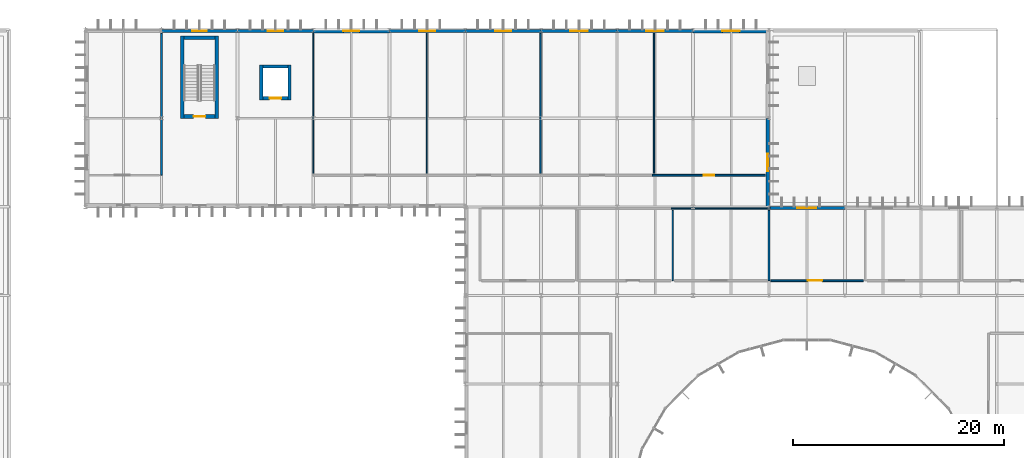
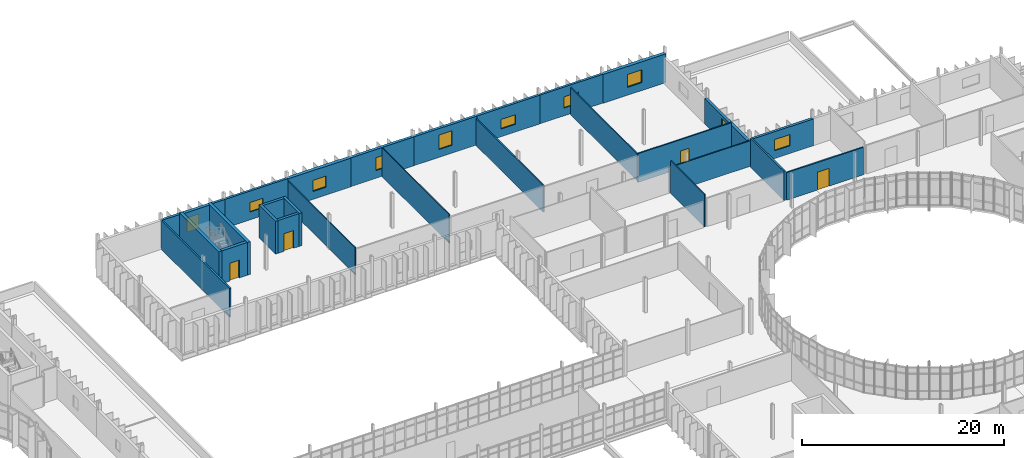
# One storey, part 82 of 99: 28 walls, 10 windows, 4 doors, 14 openings.
"""IFC4 building model written with IfcOpenShell, lengths in metres."""

from ifc_helpers import new_model, si_unit, direction, frame, frame_2d, origin, place, context, subcontext, project, spatial, rectangle, extrude, material, layer, layer_set, type_object, element, fill, save


model = new_model("IFC4")

# Units and contexts
model_context = context("Model", 3, precision=1e-05, world=origin(), true_north=direction((0.0, 1.0)))
body_context = subcontext(model_context, "Body", "Model", "MODEL_VIEW")
ifc_project = project(units=[si_unit("LENGTHUNIT", "METRE"), si_unit("AREAUNIT", "SQUARE_METRE"), si_unit("VOLUMEUNIT", "CUBIC_METRE"), si_unit("PLANEANGLEUNIT", "RADIAN"), si_unit("MASSUNIT", "GRAM", prefix="KILO")], contexts=[model_context])

# Site, building, storey
site_placement = place(None, origin())
site = spatial("IfcSite", under=ifc_project, at=site_placement, CompositionType="ELEMENT")
building_placement = place(site_placement, origin())
building = spatial("IfcBuilding", under=site, at=building_placement, Name="Qelthora Terrace Specialist Clinic", CompositionType="ELEMENT")
storey_placement = place(building_placement, frame((0.0, 0.0, 9.0)))
storey = spatial("IfcBuildingStorey", under=building, at=storey_placement, Name="L02", CompositionType="ELEMENT", Elevation=9.0)

# Walls
ifc_material_1 = material(Name="Concrete C40/50", Category="concrete")
ifc_layer_1 = layer(ifc_material_1, 0.300048828125)
ifc_layer_set_1 = layer_set([ifc_layer_1], Name="Concrete C40/50")
wall_type_1 = type_object("IfcWallType", Name="WAL-CORE-300-C40", PredefinedType="SHEAR", material=ifc_layer_set_1)
for number, where, z_axis, x_axis, name in (
    (1, (74.25, 102.550048828125, 0.0), (0.0, 0.0, 1.0), (0.0, 1.0, 0.0), "Lift PL-04 L02 west shaft wall"),
    (2, (76.949951171875, 102.550048828125, 0.0), (0.0, 0.0, 1.0), (0.0, 1.0, 0.0), "Lift PL-04 L02 east shaft wall"),
):
    element("IfcWall", number, at=place(storey_placement, frame(where, z_axis=z_axis, x_axis=x_axis)), inside=storey, type_object=wall_type_1, Name=name, PredefinedType="SHEAR", context=body_context, shape_type="SweptSolid", body=[
        extrude(rectangle(XDim=3.300048828125, YDim=0.300048828125, at=frame_2d((1.64990234375, 0.0))), origin(), (0.0, 0.0, 1.0), 3.969970703125),
    ])
wall_1_placement = place(storey_placement, frame((74.39990234375, 105.699951171875, 0.0), z_axis=(0.0, 0.0, 1.0), x_axis=(1.0, 0.0, 0.0)))
element("IfcWall", 3, at=wall_1_placement, inside=storey, type_object=wall_type_1, Name="Lift PL-04 L02 north shaft wall", PredefinedType="SHEAR", context=body_context, shape_type="SweptSolid", body=[
    extrude(rectangle(XDim=2.400146484375, YDim=0.300048828125, at=frame_2d((1.2001953125, 0.0))), origin(), (0.0, 0.0, 1.0), 3.969970703125),
])

# Wall, opening, door
wall_2_placement = place(storey_placement, frame((74.39990234375, 102.699951171875, 0.0), z_axis=(0.0, 0.0, 1.0), x_axis=(1.0, 0.0, 0.0)))
wall_2 = element("IfcWall", 4, at=wall_2_placement, inside=storey, type_object=wall_type_1, Name="Lift PL-04 L02 south shaft wall", PredefinedType="SHEAR", context=body_context, shape_type="SweptSolid", body=[
    extrude(rectangle(XDim=2.400146484375, YDim=0.300048828125, at=frame_2d((1.2001953125, 0.0))), origin(), (0.0, 0.0, 1.0), 3.969970703125),
])
opening_1_placement = place(wall_2_placement, frame((0.64990234375, 0.0, 0.0)))
opening_1 = element("IfcOpeningElement", 5, at=opening_1_placement, cuts=wall_2, Name="Opening LD-PL-04-L02", PredefinedType="OPENING", context=body_context, shape_type="SweptSolid", body=[
    extrude(rectangle(XDim=1.10009765625, YDim=2.14990234375, at=frame_2d((0.550048828125, 1.074951171875))), frame((0.0, 0.159912109375, 0.0), z_axis=(0.0, -1.0, 0.0), x_axis=(1.0, 0.0, 0.0)), (0.0, 0.0, 1.0), 0.320068359375),
])
ifc_material_2 = material(Name="Steel S355", Category="steel")
door_type_1 = type_object("IfcDoorType", Name="DOR-LIFT-1100X2150", OperationType="NOTDEFINED", PredefinedType="DOOR", material=ifc_material_2)
door_1_placement = place(opening_1_placement, origin())
door_1 = element("IfcDoor", 6, at=door_1_placement, inside=storey, type_object=door_type_1, Name="Lift landing sliding door LD-PL-04-L02", OperationType="DOUBLE_DOOR_SLIDING", OverallHeight=2.14990234375, OverallWidth=1.10009765625, PredefinedType="DOOR", context=body_context, shape_type="SweptSolid", body=[
    extrude(rectangle(XDim=1.10009765625, YDim=2.14990234375, at=frame_2d((0.550048828125, 1.074951171875))), frame((0.0, 0.02490234375, 0.0), z_axis=(0.0, -1.0, 0.0), x_axis=(1.0, 0.0, 0.0)), (0.0, 0.0, 1.0), 0.050048828125),
])
fill(opening_1, door_1)

# Walls
ifc_layer_2 = layer(ifc_material_1, 0.35009765625)
ifc_layer_set_2 = layer_set([ifc_layer_2], Name="Concrete C40/50")
wall_type_2 = type_object("IfcWallType", Name="WAL-CORE-350-C40", PredefinedType="SHEAR", material=ifc_layer_set_2)
for number, where, z_axis, x_axis, name in (
    (7, (66.77490234375, 100.800048828125, 0.0), (0.0, 0.0, 1.0), (0.0, 1.0, 0.0), "ST-07 L02 west shear core wall"),
    (8, (70.02490234375, 100.800048828125, 0.0), (0.0, 0.0, 1.0), (0.0, 1.0, 0.0), "ST-07 L02 east shear core wall"),
):
    element("IfcWall", number, at=place(storey_placement, frame(where, z_axis=z_axis, x_axis=x_axis)), inside=storey, type_object=wall_type_2, Name=name, PredefinedType="SHEAR", context=body_context, shape_type="SweptSolid", body=[
        extrude(rectangle(XDim=7.800048828125, YDim=0.35009765625, at=frame_2d((3.89990234375, 0.0))), origin(), (0.0, 0.0, 1.0), 3.969970703125),
    ])
wall_3_placement = place(storey_placement, frame((66.949951171875, 108.425048828125, 0.0), z_axis=(0.0, 0.0, 1.0), x_axis=(1.0, 0.0, 0.0)))
element("IfcWall", 9, at=wall_3_placement, inside=storey, type_object=wall_type_2, Name="ST-07 L02 north shear core wall", PredefinedType="SHEAR", context=body_context, shape_type="SweptSolid", body=[
    extrude(rectangle(XDim=2.900146484375, YDim=0.35009765625, at=frame_2d((1.4501953125, 0.0))), origin(), (0.0, 0.0, 1.0), 3.969970703125),
])

# Wall, opening, door
wall_4_placement = place(storey_placement, frame((66.949951171875, 100.97509765625, 0.0), z_axis=(0.0, 0.0, 1.0), x_axis=(1.0, 0.0, 0.0)))
wall_4 = element("IfcWall", 10, at=wall_4_placement, inside=storey, type_object=wall_type_2, Name="ST-07 L02 south shear core wall", PredefinedType="SHEAR", context=body_context, shape_type="SweptSolid", body=[
    extrude(rectangle(XDim=2.900146484375, YDim=0.35009765625, at=frame_2d((1.4501953125, 0.0))), origin(), (0.0, 0.0, 1.0), 3.969970703125),
])
opening_2_placement = place(wall_4_placement, frame((0.89990234375, 0.0, 0.0)))
opening_2 = element("IfcOpeningElement", 11, at=opening_2_placement, cuts=wall_4, Name="Opening D-ST-07-L02", PredefinedType="OPENING", context=body_context, shape_type="SweptSolid", body=[
    extrude(rectangle(XDim=1.10009765625, YDim=2.14990234375, at=frame_2d((0.550048828125, 1.074951171875))), frame((0.0, 0.18505859375, 0.0), z_axis=(0.0, -1.0, 0.0), x_axis=(1.0, 0.0, 0.0)), (0.0, 0.0, 1.0), 0.3701171875),
])
door_type_2 = type_object("IfcDoorType", Name="DOR-STAIR-1100X2150", OperationType="NOTDEFINED", PredefinedType="DOOR", material=ifc_material_2)
door_2_placement = place(opening_2_placement, origin())
door_2 = element("IfcDoor", 12, at=door_2_placement, inside=storey, type_object=door_type_2, Name="Stair fire door D-ST-07-L02", OperationType="SINGLE_SWING_LEFT", OverallHeight=2.14990234375, OverallWidth=1.10009765625, PredefinedType="DOOR", context=body_context, shape_type="SweptSolid", body=[
    extrude(rectangle(XDim=1.10009765625, YDim=2.14990234375, at=frame_2d((0.550048828125, 1.074951171875))), frame((0.0, 0.02490234375, 0.0), z_axis=(0.0, -1.0, 0.0), x_axis=(1.0, 0.0, 0.0)), (0.0, 0.0, 1.0), 0.050048828125),
])
fill(opening_2, door_2)

# Wall, opening, window
ifc_material_3 = material(Name="Precast concrete C40/50", Category="concrete")
ifc_layer_3 = layer(ifc_material_3, 0.260009765625)
ifc_layer_set_3 = layer_set([ifc_layer_3], Name="Precast concrete C40/50")
wall_type_3 = type_object("IfcWallType", Name="WAL-EXT-260-PC40", PredefinedType="SOLIDWALL", material=ifc_layer_set_3)
wall_5_placement = place(storey_placement, frame((72.0, 109.080078125, 0.0), z_axis=(0.0, 0.0, 1.0), x_axis=(1.0, 0.0, 0.0)))
wall_5 = element("IfcWall", 13, at=wall_5_placement, inside=storey, type_object=wall_type_3, Name="L02 external precast wall 239", PredefinedType="SOLIDWALL", context=body_context, shape_type="SweptSolid", body=[
    extrude(rectangle(XDim=7.199951171875, YDim=0.260009765625, at=frame_2d((3.60009765625, 0.0))), origin(), (0.0, 0.0, 1.0), 3.48193359375),
])
opening_3_placement = place(wall_5_placement, frame((2.85009765625, 0.0, 0.949951171875)))
opening_3 = element("IfcOpeningElement", 14, at=opening_3_placement, cuts=wall_5, Name="Opening WN-L02-205", PredefinedType="OPENING", context=body_context, shape_type="SweptSolid", body=[
    extrude(rectangle(XDim=1.5, YDim=1.14990234375, at=frame_2d((0.75, 0.574951171875))), frame((0.0, 0.139892578125, 0.0), z_axis=(0.0, -1.0, 0.0), x_axis=(1.0, 0.0, 0.0)), (0.0, 0.0, 1.0), 0.280029296875),
])
ifc_material_4 = material(Name="Low-E triple-silver insulating glass", Category="glass")
window_type_1 = type_object("IfcWindowType", Name="WIN-1500X1150", PartitioningType="SINGLE_PANEL", PredefinedType="WINDOW", material=ifc_material_4)
window_1_placement = place(opening_3_placement, origin())
window_1 = element("IfcWindow", 15, at=window_1_placement, inside=storey, type_object=window_type_1, Name="Clinical window WN-L02-205", OverallHeight=1.14990234375, OverallWidth=1.5, PartitioningType="SINGLE_PANEL", PredefinedType="WINDOW", context=body_context, shape_type="SweptSolid", body=[
    extrude(rectangle(XDim=1.5, YDim=1.14990234375, at=frame_2d((0.75, 0.574951171875))), frame((0.0, 0.030029296875, 0.0), z_axis=(0.0, -1.0, 0.0), x_axis=(1.0, 0.0, 0.0)), (0.0, 0.0, 1.0), 0.06005859375),
])
fill(opening_3, window_1)

wall_6_placement = place(storey_placement, frame((108.0, 109.080078125, 0.0), z_axis=(0.0, 0.0, 1.0), x_axis=(1.0, 0.0, 0.0)))
wall_6 = element("IfcWall", 16, at=wall_6_placement, inside=storey, type_object=wall_type_3, Name="L02 external precast wall 244", PredefinedType="SOLIDWALL", context=body_context, shape_type="SweptSolid", body=[
    extrude(rectangle(XDim=7.199951171875, YDim=0.260009765625, at=frame_2d((3.60009765625, 0.0))), origin(), (0.0, 0.0, 1.0), 3.48193359375),
])
opening_4_placement = place(wall_6_placement, frame((2.77490234375, 0.0, 0.949951171875)))
opening_4 = element("IfcOpeningElement", 17, at=opening_4_placement, cuts=wall_6, Name="Opening WN-L02-210", PredefinedType="OPENING", context=body_context, shape_type="SweptSolid", body=[
    extrude(rectangle(XDim=1.64990234375, YDim=1.35009765625, at=frame_2d((0.824951171875, 0.675048828125))), frame((0.0, 0.139892578125, 0.0), z_axis=(0.0, -1.0, 0.0), x_axis=(1.0, 0.0, 0.0)), (0.0, 0.0, 1.0), 0.280029296875),
])
window_type_2 = type_object("IfcWindowType", Name="WIN-1650X1350", PartitioningType="DOUBLE_PANEL_VERTICAL", PredefinedType="WINDOW", material=ifc_material_4)
window_2_placement = place(opening_4_placement, origin())
window_2 = element("IfcWindow", 18, at=window_2_placement, inside=storey, type_object=window_type_2, Name="Clinical window WN-L02-210", OverallHeight=1.35009765625, OverallWidth=1.64990234375, PartitioningType="SINGLE_PANEL", PredefinedType="WINDOW", context=body_context, shape_type="SweptSolid", body=[
    extrude(rectangle(XDim=1.64990234375, YDim=1.35009765625, at=frame_2d((0.824951171875, 0.675048828125))), frame((0.0, 0.030029296875, 0.0), z_axis=(0.0, -1.0, 0.0), x_axis=(1.0, 0.0, 0.0)), (0.0, 0.0, 1.0), 0.06005859375),
])
fill(opening_4, window_2)

ifc_layer_4 = layer(ifc_material_3, 0.280029296875)
ifc_layer_set_4 = layer_set([ifc_layer_4], Name="Precast concrete C40/50")
wall_type_4 = type_object("IfcWallType", Name="WAL-EXT-280-PC40", PredefinedType="SOLIDWALL", material=ifc_layer_set_4)
wall_7_placement = place(storey_placement, frame((64.800048828125, 109.080078125, 0.0), z_axis=(0.0, 0.0, 1.0), x_axis=(1.0, 0.0, 0.0)))
wall_7 = element("IfcWall", 19, at=wall_7_placement, inside=storey, type_object=wall_type_4, Name="L02 external precast wall 238", PredefinedType="SOLIDWALL", context=body_context, shape_type="SweptSolid", body=[
    extrude(rectangle(XDim=7.199951171875, YDim=0.280029296875, at=frame_2d((3.60009765625, 0.0))), origin(), (0.0, 0.0, 1.0), 3.48193359375),
])
opening_5_placement = place(wall_7_placement, frame((2.925048828125, 0.0, 0.949951171875)))
opening_5 = element("IfcOpeningElement", 20, at=opening_5_placement, cuts=wall_7, Name="Opening WN-L02-204", PredefinedType="OPENING", context=body_context, shape_type="SweptSolid", body=[
    extrude(rectangle(XDim=1.35009765625, YDim=1.75, at=frame_2d((0.675048828125, 0.875))), frame((0.0, 0.14990234375, 0.0), z_axis=(0.0, -1.0, 0.0), x_axis=(1.0, 0.0, 0.0)), (0.0, 0.0, 1.0), 0.300048828125),
])
window_type_3 = type_object("IfcWindowType", Name="WIN-1350X1750", PartitioningType="SINGLE_PANEL", PredefinedType="WINDOW", material=ifc_material_4)
window_3_placement = place(opening_5_placement, origin())
window_3 = element("IfcWindow", 21, at=window_3_placement, inside=storey, type_object=window_type_3, Name="Clinical window WN-L02-204", OverallHeight=1.75, OverallWidth=1.35009765625, PartitioningType="SINGLE_PANEL", PredefinedType="WINDOW", context=body_context, shape_type="SweptSolid", body=[
    extrude(rectangle(XDim=1.35009765625, YDim=1.75, at=frame_2d((0.675048828125, 0.875))), frame((0.0, 0.030029296875, 0.0), z_axis=(0.0, -1.0, 0.0), x_axis=(1.0, 0.0, 0.0)), (0.0, 0.0, 1.0), 0.06005859375),
])
fill(opening_5, window_3)

wall_8_placement = place(storey_placement, frame((100.800048828125, 109.080078125, 0.0), z_axis=(0.0, 0.0, 1.0), x_axis=(1.0, 0.0, 0.0)))
wall_8 = element("IfcWall", 22, at=wall_8_placement, inside=storey, type_object=wall_type_4, Name="L02 external precast wall 243", PredefinedType="SOLIDWALL", context=body_context, shape_type="SweptSolid", body=[
    extrude(rectangle(XDim=7.199951171875, YDim=0.280029296875, at=frame_2d((3.60009765625, 0.0))), origin(), (0.0, 0.0, 1.0), 3.48193359375),
])
opening_6_placement = place(wall_8_placement, frame((2.77490234375, 0.0, 0.949951171875)))
opening_6 = element("IfcOpeningElement", 23, at=opening_6_placement, cuts=wall_8, Name="Opening WN-L02-209", PredefinedType="OPENING", context=body_context, shape_type="SweptSolid", body=[
    extrude(rectangle(XDim=1.64990234375, YDim=1.14990234375, at=frame_2d((0.824951171875, 0.574951171875))), frame((0.0, 0.14990234375, 0.0), z_axis=(0.0, -1.0, 0.0), x_axis=(1.0, 0.0, 0.0)), (0.0, 0.0, 1.0), 0.300048828125),
])
window_type_4 = type_object("IfcWindowType", Name="WIN-1650X1150", PartitioningType="DOUBLE_PANEL_VERTICAL", PredefinedType="WINDOW", material=ifc_material_4)
window_4_placement = place(opening_6_placement, origin())
window_4 = element("IfcWindow", 24, at=window_4_placement, inside=storey, type_object=window_type_4, Name="Clinical window WN-L02-209", OverallHeight=1.14990234375, OverallWidth=1.64990234375, PartitioningType="SINGLE_PANEL", PredefinedType="WINDOW", context=body_context, shape_type="SweptSolid", body=[
    extrude(rectangle(XDim=1.64990234375, YDim=1.14990234375, at=frame_2d((0.824951171875, 0.574951171875))), frame((0.0, 0.030029296875, 0.0), z_axis=(0.0, -1.0, 0.0), x_axis=(1.0, 0.0, 0.0)), (0.0, 0.0, 1.0), 0.06005859375),
])
fill(opening_6, window_4)

wall_9_placement = place(storey_placement, frame((122.39990234375, 92.280029296875, 0.0), z_axis=(0.0, 0.0, 1.0), x_axis=(1.0, 0.0, 0.0)))
wall_9 = element("IfcWall", 25, at=wall_9_placement, inside=storey, type_object=wall_type_4, Name="L02 external precast wall 248", PredefinedType="SOLIDWALL", context=body_context, shape_type="SweptSolid", body=[
    extrude(rectangle(XDim=7.2001953125, YDim=0.280029296875, at=frame_2d((3.60009765625, 0.0))), origin(), (0.0, 0.0, 1.0), 3.2490234375),
])
opening_7_placement = place(wall_9_placement, frame((2.699951171875, 0.0, 0.949951171875)))
opening_7 = element("IfcOpeningElement", 26, at=opening_7_placement, cuts=wall_9, Name="Opening WN-L02-214", PredefinedType="OPENING", context=body_context, shape_type="SweptSolid", body=[
    extrude(rectangle(XDim=1.800048828125, YDim=1.35009765625, at=frame_2d((0.89990234375, 0.675048828125))), frame((0.0, 0.14990234375, 0.0), z_axis=(0.0, -1.0, 0.0), x_axis=(1.0, 0.0, 0.0)), (0.0, 0.0, 1.0), 0.300048828125),
])
window_type_5 = type_object("IfcWindowType", Name="WIN-1800X1350", PartitioningType="DOUBLE_PANEL_VERTICAL", PredefinedType="WINDOW", material=ifc_material_4)
window_5_placement = place(opening_7_placement, origin())
window_5 = element("IfcWindow", 27, at=window_5_placement, inside=storey, type_object=window_type_5, Name="Clinical window WN-L02-214", OverallHeight=1.35009765625, OverallWidth=1.800048828125, PartitioningType="SINGLE_PANEL", PredefinedType="WINDOW", context=body_context, shape_type="SweptSolid", body=[
    extrude(rectangle(XDim=1.800048828125, YDim=1.35009765625, at=frame_2d((0.89990234375, 0.675048828125))), frame((0.0, 0.030029296875, 0.0), z_axis=(0.0, -1.0, 0.0), x_axis=(1.0, 0.0, 0.0)), (0.0, 0.0, 1.0), 0.06005859375),
])
fill(opening_7, window_5)

ifc_layer_5 = layer(ifc_material_3, 0.300048828125)
ifc_layer_set_5 = layer_set([ifc_layer_5], Name="Precast concrete C40/50")
wall_type_5 = type_object("IfcWallType", Name="WAL-EXT-300-PC40", PredefinedType="SOLIDWALL", material=ifc_layer_set_5)
wall_10_placement = place(storey_placement, frame((93.60009765625, 109.080078125, 0.0), z_axis=(0.0, 0.0, 1.0), x_axis=(1.0, 0.0, 0.0)))
wall_10 = element("IfcWall", 28, at=wall_10_placement, inside=storey, type_object=wall_type_5, Name="L02 external precast wall 242", PredefinedType="SOLIDWALL", context=body_context, shape_type="SweptSolid", body=[
    extrude(rectangle(XDim=7.199951171875, YDim=0.300048828125, at=frame_2d((3.60009765625, 0.0))), origin(), (0.0, 0.0, 1.0), 3.48193359375),
])
opening_8_placement = place(wall_10_placement, frame((2.85009765625, 0.0, 0.949951171875)))
opening_8 = element("IfcOpeningElement", 29, at=opening_8_placement, cuts=wall_10, Name="Opening WN-L02-208", PredefinedType="OPENING", context=body_context, shape_type="SweptSolid", body=[
    extrude(rectangle(XDim=1.5, YDim=1.75, at=frame_2d((0.75, 0.875))), frame((0.0, 0.159912109375, 0.0), z_axis=(0.0, -1.0, 0.0), x_axis=(1.0, 0.0, 0.0)), (0.0, 0.0, 1.0), 0.320068359375),
])
window_type_6 = type_object("IfcWindowType", Name="WIN-1500X1750", PartitioningType="SINGLE_PANEL", PredefinedType="WINDOW", material=ifc_material_4)
window_6_placement = place(opening_8_placement, origin())
window_6 = element("IfcWindow", 30, at=window_6_placement, inside=storey, type_object=window_type_6, Name="Clinical window WN-L02-208", OverallHeight=1.75, OverallWidth=1.5, PartitioningType="SINGLE_PANEL", PredefinedType="WINDOW", context=body_context, shape_type="SweptSolid", body=[
    extrude(rectangle(XDim=1.5, YDim=1.75, at=frame_2d((0.75, 0.875))), frame((0.0, 0.030029296875, 0.0), z_axis=(0.0, -1.0, 0.0), x_axis=(1.0, 0.0, 0.0)), (0.0, 0.0, 1.0), 0.06005859375),
])
fill(opening_8, window_6)

ifc_layer_6 = layer(ifc_material_3, 0.320068359375)
ifc_layer_set_6 = layer_set([ifc_layer_6], Name="Precast concrete C40/50")
wall_type_6 = type_object("IfcWallType", Name="WAL-EXT-320-PC40", PredefinedType="SOLIDWALL", material=ifc_layer_set_6)
wall_11_placement = place(storey_placement, frame((86.39990234375, 109.080078125, 0.0), z_axis=(0.0, 0.0, 1.0), x_axis=(1.0, 0.0, 0.0)))
wall_11 = element("IfcWall", 31, at=wall_11_placement, inside=storey, type_object=wall_type_6, Name="L02 external precast wall 241", PredefinedType="SOLIDWALL", context=body_context, shape_type="SweptSolid", body=[
    extrude(rectangle(XDim=7.2001953125, YDim=0.320068359375, at=frame_2d((3.60009765625, 0.0))), origin(), (0.0, 0.0, 1.0), 3.48193359375),
])
opening_9_placement = place(wall_11_placement, frame((2.85009765625, 0.0, 0.949951171875)))
opening_9 = element("IfcOpeningElement", 32, at=opening_9_placement, cuts=wall_11, Name="Opening WN-L02-207", PredefinedType="OPENING", context=body_context, shape_type="SweptSolid", body=[
    extrude(rectangle(XDim=1.5, YDim=1.550048828125, at=frame_2d((0.75, 0.77490234375))), frame((0.0, 0.169921875, 0.0), z_axis=(0.0, -1.0, 0.0), x_axis=(1.0, 0.0, 0.0)), (0.0, 0.0, 1.0), 0.340087890625),
])
window_type_7 = type_object("IfcWindowType", Name="WIN-1500X1550", PartitioningType="SINGLE_PANEL", PredefinedType="WINDOW", material=ifc_material_4)
window_7_placement = place(opening_9_placement, origin())
window_7 = element("IfcWindow", 33, at=window_7_placement, inside=storey, type_object=window_type_7, Name="Clinical window WN-L02-207", OverallHeight=1.550048828125, OverallWidth=1.5, PartitioningType="SINGLE_PANEL", PredefinedType="WINDOW", context=body_context, shape_type="SweptSolid", body=[
    extrude(rectangle(XDim=1.5, YDim=1.550048828125, at=frame_2d((0.75, 0.77490234375))), frame((0.0, 0.030029296875, 0.0), z_axis=(0.0, -1.0, 0.0), x_axis=(1.0, 0.0, 0.0)), (0.0, 0.0, 1.0), 0.06005859375),
])
fill(opening_9, window_7)

wall_12_placement = place(storey_placement, frame((122.280029296875, 92.39990234375, 0.0), z_axis=(0.0, 0.0, 1.0), x_axis=(0.0, 1.0, 0.0)))
wall_12 = element("IfcWall", 34, at=wall_12_placement, inside=storey, type_object=wall_type_6, Name="L02 external precast wall 246", PredefinedType="SOLIDWALL", context=body_context, shape_type="SweptSolid", body=[
    extrude(rectangle(XDim=8.400146484375, YDim=0.320068359375, at=frame_2d((4.2001953125, 0.0))), origin(), (0.0, 0.0, 1.0), 3.091064453125),
])
opening_10_placement = place(wall_12_placement, frame((3.375, 0.0, 0.949951171875)))
opening_10 = element("IfcOpeningElement", 35, at=opening_10_placement, cuts=wall_12, Name="Opening WN-L02-212", PredefinedType="OPENING", context=body_context, shape_type="SweptSolid", body=[
    extrude(rectangle(XDim=1.64990234375, YDim=1.75, at=frame_2d((0.824951171875, 0.875))), frame((0.0, 0.169921875, 0.0), z_axis=(0.0, -1.0, 0.0), x_axis=(1.0, 0.0, 0.0)), (0.0, 0.0, 1.0), 0.340087890625),
])
window_type_8 = type_object("IfcWindowType", Name="WIN-1650X1750", PartitioningType="DOUBLE_PANEL_VERTICAL", PredefinedType="WINDOW", material=ifc_material_4)
window_8_placement = place(opening_10_placement, origin())
window_8 = element("IfcWindow", 36, at=window_8_placement, inside=storey, type_object=window_type_8, Name="Clinical window WN-L02-212", OverallHeight=1.75, OverallWidth=1.64990234375, PartitioningType="SINGLE_PANEL", PredefinedType="WINDOW", context=body_context, shape_type="SweptSolid", body=[
    extrude(rectangle(XDim=1.64990234375, YDim=1.75, at=frame_2d((0.824951171875, 0.875))), frame((0.0, 0.030029296875, 0.0), z_axis=(0.0, -1.0, 0.0), x_axis=(1.0, 0.0, 0.0)), (0.0, 0.0, 1.0), 0.06005859375),
])
fill(opening_10, window_8)

ifc_layer_7 = layer(ifc_material_3, 0.3798828125)
ifc_layer_set_7 = layer_set([ifc_layer_7], Name="Precast concrete C40/50")
wall_type_7 = type_object("IfcWallType", Name="WAL-EXT-380-PC40", PredefinedType="SOLIDWALL", material=ifc_layer_set_7)
wall_13_placement = place(storey_placement, frame((79.199951171875, 109.080078125, 0.0), z_axis=(0.0, 0.0, 1.0), x_axis=(1.0, 0.0, 0.0)))
wall_13 = element("IfcWall", 37, at=wall_13_placement, inside=storey, type_object=wall_type_7, Name="L02 external precast wall 240", PredefinedType="SOLIDWALL", context=body_context, shape_type="SweptSolid", body=[
    extrude(rectangle(XDim=7.199951171875, YDim=0.3798828125, at=frame_2d((3.60009765625, 0.0))), origin(), (0.0, 0.0, 1.0), 3.48193359375),
])
opening_11_placement = place(wall_13_placement, frame((2.85009765625, 0.0, 0.949951171875)))
opening_11 = element("IfcOpeningElement", 38, at=opening_11_placement, cuts=wall_13, Name="Opening WN-L02-206", PredefinedType="OPENING", context=body_context, shape_type="SweptSolid", body=[
    extrude(rectangle(XDim=1.5, YDim=1.35009765625, at=frame_2d((0.75, 0.675048828125))), frame((0.0, 0.199951171875, 0.0), z_axis=(0.0, -1.0, 0.0), x_axis=(1.0, 0.0, 0.0)), (0.0, 0.0, 1.0), 0.39990234375),
])
window_type_9 = type_object("IfcWindowType", Name="WIN-1500X1350", PartitioningType="SINGLE_PANEL", PredefinedType="WINDOW", material=ifc_material_4)
window_9_placement = place(opening_11_placement, origin())
window_9 = element("IfcWindow", 39, at=window_9_placement, inside=storey, type_object=window_type_9, Name="Clinical window WN-L02-206", OverallHeight=1.35009765625, OverallWidth=1.5, PartitioningType="SINGLE_PANEL", PredefinedType="WINDOW", context=body_context, shape_type="SweptSolid", body=[
    extrude(rectangle(XDim=1.5, YDim=1.35009765625, at=frame_2d((0.75, 0.675048828125))), frame((0.0, 0.030029296875, 0.0), z_axis=(0.0, -1.0, 0.0), x_axis=(1.0, 0.0, 0.0)), (0.0, 0.0, 1.0), 0.06005859375),
])
fill(opening_11, window_9)

wall_14_placement = place(storey_placement, frame((115.199951171875, 109.080078125, 0.0), z_axis=(0.0, 0.0, 1.0), x_axis=(1.0, 0.0, 0.0)))
wall_14 = element("IfcWall", 40, at=wall_14_placement, inside=storey, type_object=wall_type_7, Name="L02 external precast wall 245", PredefinedType="SOLIDWALL", context=body_context, shape_type="SweptSolid", body=[
    extrude(rectangle(XDim=7.199951171875, YDim=0.3798828125, at=frame_2d((3.60009765625, 0.0))), origin(), (0.0, 0.0, 1.0), 3.48193359375),
])
opening_12_placement = place(wall_14_placement, frame((2.77490234375, 0.0, 0.949951171875)))
opening_12 = element("IfcOpeningElement", 41, at=opening_12_placement, cuts=wall_14, Name="Opening WN-L02-211", PredefinedType="OPENING", context=body_context, shape_type="SweptSolid", body=[
    extrude(rectangle(XDim=1.64990234375, YDim=1.550048828125, at=frame_2d((0.824951171875, 0.77490234375))), frame((0.0, 0.199951171875, 0.0), z_axis=(0.0, -1.0, 0.0), x_axis=(1.0, 0.0, 0.0)), (0.0, 0.0, 1.0), 0.39990234375),
])
window_type_10 = type_object("IfcWindowType", Name="WIN-1650X1550", PartitioningType="DOUBLE_PANEL_VERTICAL", PredefinedType="WINDOW", material=ifc_material_4)
window_10_placement = place(opening_12_placement, origin())
window_10 = element("IfcWindow", 42, at=window_10_placement, inside=storey, type_object=window_type_10, Name="Clinical window WN-L02-211", OverallHeight=1.550048828125, OverallWidth=1.64990234375, PartitioningType="SINGLE_PANEL", PredefinedType="WINDOW", context=body_context, shape_type="SweptSolid", body=[
    extrude(rectangle(XDim=1.64990234375, YDim=1.550048828125, at=frame_2d((0.824951171875, 0.77490234375))), frame((0.0, 0.030029296875, 0.0), z_axis=(0.0, -1.0, 0.0), x_axis=(1.0, 0.0, 0.0)), (0.0, 0.0, 1.0), 0.06005859375),
])
fill(opening_12, window_10)

# Walls
ifc_material_5 = material(Name="Gypsum acoustic wallboard", Category="gypsum")
ifc_layer_8 = layer(ifc_material_5, 0.139892578125)
ifc_layer_set_8 = layer_set([ifc_layer_8], Name="Gypsum acoustic wallboard")
wall_type_8 = type_object("IfcWallType", Name="WAL-INT-ACU-140", PredefinedType="PARTITIONING", material=ifc_layer_set_8)
wall_15_placement = place(storey_placement, frame((100.72509765625, 108.860107421875, 0.0), z_axis=(0.0, 0.0, 1.0), x_axis=(0.0, -1.0, 0.0)))
element("IfcWall", 43, at=wall_15_placement, inside=storey, type_object=wall_type_8, Name="Interior clinical partition IWAL-L02-0313", PredefinedType="PARTITIONING", context=body_context, shape_type="SweptSolid", body=[
    extrude(rectangle(XDim=13.280029296875, YDim=0.139892578125, at=frame_2d((6.64013671875, 0.0))), origin(), (0.0, 0.0, 1.0), 3.251953125),
])
ifc_material_6 = material(Name="Gypsum fire-rated wallboard", Category="gypsum")
ifc_layer_9 = layer(ifc_material_6, 0.179931640625)
ifc_layer_set_9 = layer_set([ifc_layer_9], Name="Gypsum fire-rated wallboard")
wall_type_9 = type_object("IfcWallType", Name="WAL-INT-CLN-180", PredefinedType="PARTITIONING", material=ifc_layer_set_9)
wall_16_placement = place(storey_placement, frame((122.39990234375, 92.06005859375, 0.0), z_axis=(0.0, 0.0, 1.0), x_axis=(0.0, -1.0, 0.0)))
element("IfcWall", 44, at=wall_16_placement, inside=storey, type_object=wall_type_9, Name="Interior clinical partition IWAL-L02-0270", PredefinedType="PARTITIONING", context=body_context, shape_type="SweptSolid", body=[
    extrude(rectangle(XDim=6.66015625, YDim=0.179931640625, at=frame_2d((3.330078125, 0.0))), origin(), (0.0, 0.0, 1.0), 3.534912109375),
])
wall_17_placement = place(storey_placement, frame((64.800048828125, 108.860107421875, 0.0), z_axis=(0.0, 0.0, 1.0), x_axis=(0.0, -1.0, 0.0)))
element("IfcWall", 45, at=wall_17_placement, inside=storey, type_object=wall_type_9, Name="Interior clinical partition IWAL-L02-0317", PredefinedType="PARTITIONING", context=body_context, shape_type="SweptSolid", body=[
    extrude(rectangle(XDim=13.460205078125, YDim=0.179931640625, at=frame_2d((6.72998046875, 0.0))), origin(), (0.0, 0.0, 1.0), 3.47900390625),
])

# Wall, opening, door
ifc_layer_10 = layer(ifc_material_6, 0.159912109375)
ifc_layer_set_10 = layer_set([ifc_layer_10], Name="Gypsum fire-rated wallboard")
wall_type_10 = type_object("IfcWallType", Name="WAL-INT-COR-160", PredefinedType="PARTITIONING", material=ifc_layer_set_10)
wall_18_placement = place(storey_placement, frame((131.353271484375, 85.39990234375, 0.0), z_axis=(0.0, 0.0, 1.0), x_axis=(-1.0, 0.0, 0.0)))
wall_18 = element("IfcWall", 46, at=wall_18_placement, inside=storey, type_object=wall_type_10, Name="Interior clinical partition IWAL-L02-0273", PredefinedType="PARTITIONING", context=body_context, shape_type="SweptSolid", body=[
    extrude(rectangle(XDim=8.773193359375, YDim=0.159912109375, at=frame_2d((4.38671875, 0.0))), origin(), (0.0, 0.0, 1.0), 3.327880859375),
])
opening_13_placement = place(wall_18_placement, frame((3.91162109375, 0.0, 0.0)))
opening_13 = element("IfcOpeningElement", 47, at=opening_13_placement, cuts=wall_18, Name="Opening DI-L02-0109", PredefinedType="OPENING", context=body_context, shape_type="SweptSolid", body=[
    extrude(rectangle(XDim=1.35009765625, YDim=2.14990234375, at=frame_2d((0.675048828125, 1.074951171875))), frame((0.0, 0.08984375, 0.0), z_axis=(0.0, -1.0, 0.0), x_axis=(1.0, 0.0, 0.0)), (0.0, 0.0, 1.0), 0.179931640625),
])
door_type_3 = type_object("IfcDoorType", Name="DOR-IMG-1350X2150", OperationType="NOTDEFINED", PredefinedType="DOOR", material=ifc_material_2)
door_3_placement = place(opening_13_placement, frame((1.35009765625, 0.0, 0.0), z_axis=(0.0, 0.0, 1.0), x_axis=(-1.0, 0.0, 0.0)))
door_3 = element("IfcDoor", 48, at=door_3_placement, inside=storey, type_object=door_type_3, Name="Interior clinical door DI-L02-0109", OperationType="SINGLE_SWING_RIGHT", OverallHeight=2.14990234375, OverallWidth=1.35009765625, PredefinedType="DOOR", context=body_context, shape_type="SweptSolid", body=[
    extrude(rectangle(XDim=1.35009765625, YDim=2.14990234375, at=frame_2d((0.675048828125, 1.074951171875))), frame((0.0, 0.02490234375, 0.0), z_axis=(0.0, -1.0, 0.0), x_axis=(1.0, 0.0, 0.0)), (0.0, 0.0, 1.0), 0.050048828125),
])
fill(opening_13, door_3)

# Walls
ifc_layer_11 = layer(ifc_material_4, 0.110107421875)
ifc_layer_set_11 = layer_set([ifc_layer_11], Name="Low-E triple-silver insulating glass")
wall_type_11 = type_object("IfcWallType", Name="WAL-INT-GLA-110", PredefinedType="MOVABLE", material=ifc_layer_set_11)
wall_19_placement = place(storey_placement, frame((79.199951171875, 95.580078125, 0.0), z_axis=(0.0, 0.0, 1.0), x_axis=(0.0, 1.0, 0.0)))
element("IfcWall", 49, at=wall_19_placement, inside=storey, type_object=wall_type_11, Name="Interior clinical partition IWAL-L02-0310", PredefinedType="MOVABLE", context=body_context, shape_type="SweptSolid", body=[
    extrude(rectangle(XDim=13.280029296875, YDim=0.110107421875, at=frame_2d((6.64013671875, 0.0))), origin(), (0.0, 0.0, 1.0), 3.251953125),
])
ifc_layer_12 = layer(ifc_material_5, 0.10009765625)
ifc_layer_set_12 = layer_set([ifc_layer_12], Name="Gypsum acoustic wallboard")
wall_type_12 = type_object("IfcWallType", Name="WAL-INT-LGT-100", PredefinedType="PARTITIONING", material=ifc_layer_set_12)
wall_20_placement = place(storey_placement, frame((89.96240234375, 108.860107421875, 0.0), z_axis=(0.0, 0.0, 1.0), x_axis=(0.0, -1.0, 0.0)))
element("IfcWall", 50, at=wall_20_placement, inside=storey, type_object=wall_type_12, Name="Interior clinical partition IWAL-L02-0311", PredefinedType="PARTITIONING", context=body_context, shape_type="SweptSolid", body=[
    extrude(rectangle(XDim=13.280029296875, YDim=0.10009765625, at=frame_2d((6.64013671875, 0.0))), origin(), (0.0, 0.0, 1.0), 3.485107421875),
])
ifc_layer_13 = layer(ifc_material_5, 0.1201171875)
ifc_layer_set_13 = layer_set([ifc_layer_13], Name="Gypsum acoustic wallboard")
wall_type_13 = type_object("IfcWallType", Name="WAL-INT-STD-120", PredefinedType="PARTITIONING", material=ifc_layer_set_13)
wall_21_placement = place(storey_placement, frame((113.2666015625, 92.070068359375, 0.0), z_axis=(0.0, 0.0, 1.0), x_axis=(0.0, -1.0, 0.0)))
element("IfcWall", 51, at=wall_21_placement, inside=storey, type_object=wall_type_13, Name="Interior clinical partition IWAL-L02-0267", PredefinedType="PARTITIONING", context=body_context, shape_type="SweptSolid", body=[
    extrude(rectangle(XDim=6.670166015625, YDim=0.1201171875, at=frame_2d((3.3349609375, 0.0))), origin(), (0.0, 0.0, 1.0), 3.945068359375),
])
wall_22_placement = place(storey_placement, frame((113.131591796875, 92.25, 0.0), z_axis=(0.0, 0.0, 1.0), x_axis=(1.0, 0.0, 0.0)))
element("IfcWall", 52, at=wall_22_placement, inside=storey, type_object=wall_type_13, Name="Interior clinical partition IWAL-L02-0269", PredefinedType="PARTITIONING", context=body_context, shape_type="SweptSolid", body=[
    extrude(rectangle(XDim=9.408447265625, YDim=0.1201171875, at=frame_2d((4.7041015625, 0.0))), origin(), (0.0, 0.0, 1.0), 3.093994140625),
])
wall_23_placement = place(storey_placement, frame((111.487548828125, 108.860107421875, 0.0), z_axis=(0.0, 0.0, 1.0), x_axis=(0.0, -1.0, 0.0)))
element("IfcWall", 53, at=wall_23_placement, inside=storey, type_object=wall_type_13, Name="Interior clinical partition IWAL-L02-0315", PredefinedType="PARTITIONING", context=body_context, shape_type="SweptSolid", body=[
    extrude(rectangle(XDim=13.280029296875, YDim=0.1201171875, at=frame_2d((6.64013671875, 0.0))), origin(), (0.0, 0.0, 1.0), 3.257080078125),
])

# Wall, opening, door
ifc_material_7 = material(Name="Gypsum moisture-resistant", Category="gypsum")
ifc_layer_14 = layer(ifc_material_7, 0.14990234375)
ifc_layer_set_14 = layer_set([ifc_layer_14], Name="Gypsum moisture-resistant")
wall_type_14 = type_object("IfcWallType", Name="WAL-INT-WET-150", PredefinedType="PLUMBINGWALL", material=ifc_layer_set_14)
wall_24_placement = place(storey_placement, frame((122.06005859375, 95.39990234375, 0.0), z_axis=(0.0, 0.0, 1.0), x_axis=(-1.0, 0.0, 0.0)))
wall_24 = element("IfcWall", 54, at=wall_24_placement, inside=storey, type_object=wall_type_14, Name="Interior clinical partition IWAL-L02-0316", PredefinedType="PLUMBINGWALL", context=body_context, shape_type="SweptSolid", body=[
    extrude(rectangle(XDim=10.70751953125, YDim=0.14990234375, at=frame_2d((5.353759765625, 0.0))), origin(), (0.0, 0.0, 1.0), 3.47900390625),
])
opening_14_placement = place(wall_24_placement, frame((4.853759765625, 0.0, 0.0)))
opening_14 = element("IfcOpeningElement", 55, at=opening_14_placement, cuts=wall_24, Name="Opening DI-L02-0125", PredefinedType="OPENING", context=body_context, shape_type="SweptSolid", body=[
    extrude(rectangle(XDim=1.0, YDim=2.10009765625, at=frame_2d((0.5, 1.050048828125))), frame((0.0, 0.0849609375, 0.0), z_axis=(0.0, -1.0, 0.0), x_axis=(1.0, 0.0, 0.0)), (0.0, 0.0, 1.0), 0.169921875),
])
ifc_material_8 = material(Name="Glulam timber GL28h", Category="wood")
door_type_4 = type_object("IfcDoorType", Name="DOR-AWC-1000X2100", OperationType="NOTDEFINED", PredefinedType="DOOR", material=ifc_material_8)
door_4_placement = place(opening_14_placement, frame((1.0, 0.0, 0.0), z_axis=(0.0, 0.0, 1.0), x_axis=(-1.0, 0.0, 0.0)))
door_4 = element("IfcDoor", 56, at=door_4_placement, inside=storey, type_object=door_type_4, Name="Interior clinical door DI-L02-0125", OperationType="SINGLE_SWING_RIGHT", OverallHeight=2.10009765625, OverallWidth=1.0, PredefinedType="DOOR", context=body_context, shape_type="SweptSolid", body=[
    extrude(rectangle(XDim=1.0, YDim=2.10009765625, at=frame_2d((0.5, 1.050048828125))), frame((0.0, 0.02490234375, 0.0), z_axis=(0.0, -1.0, 0.0), x_axis=(1.0, 0.0, 0.0)), (0.0, 0.0, 1.0), 0.050048828125),
])
fill(opening_14, door_4)

save(model, "model.ifc")
